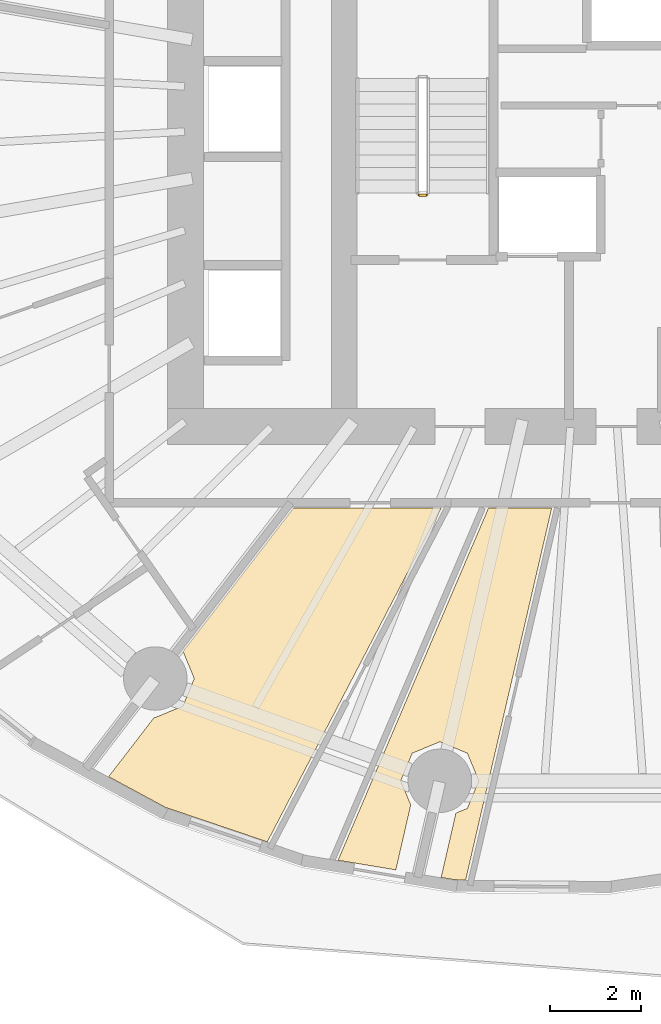
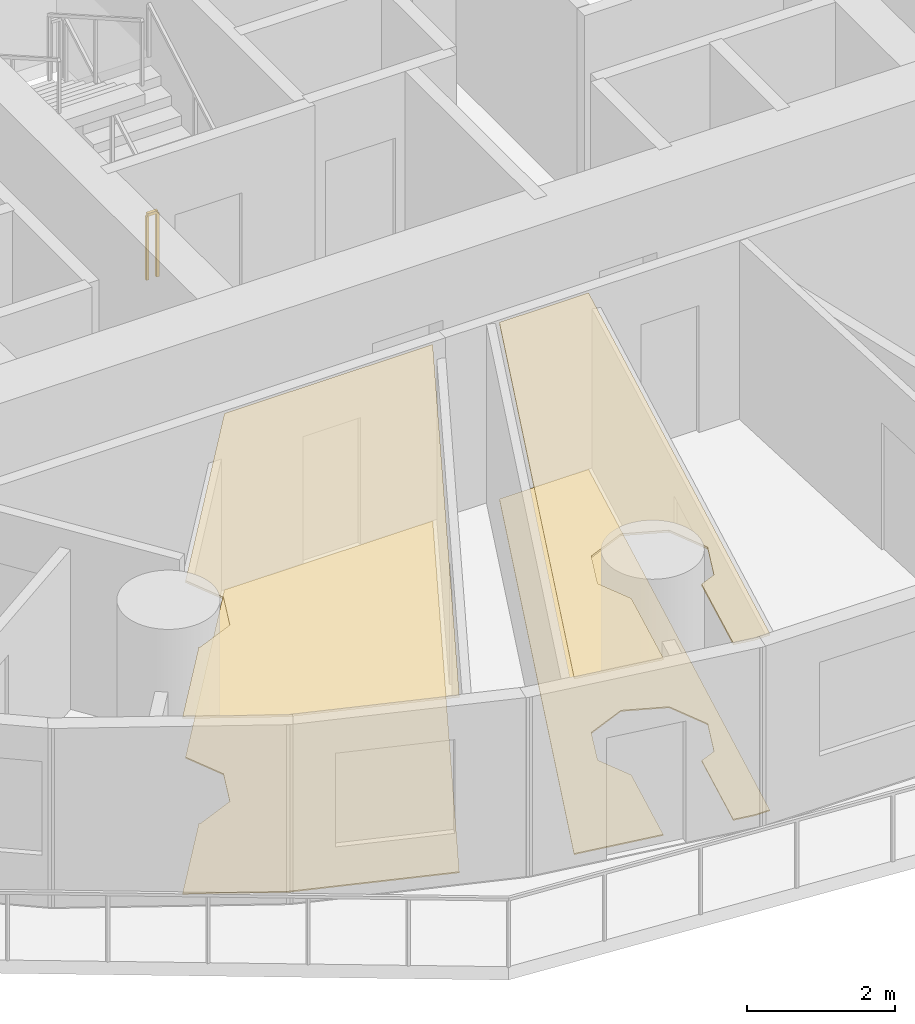
# One storey, part 10 of 13: 4 coverings, 1 railing.
"""IFC4 building model written with IfcOpenShell, lengths in metres."""

from ifc_helpers import new_model, si_unit, direction, frame, origin, origin_2d, place, context, subcontext, project, spatial, polyline, rectangle, outline, extrude, material, layer, layer_set, type_object, element, save


model = new_model("IFC4")

# Units and contexts
model_context = context("Model", 3, precision=1e-05, world=origin(), true_north=direction((0.0, 1.0)))
body_context = subcontext(model_context, "Body", "Model", "MODEL_VIEW")
ifc_project = project(units=[si_unit("LENGTHUNIT", "METRE"), si_unit("AREAUNIT", "SQUARE_METRE"), si_unit("VOLUMEUNIT", "CUBIC_METRE"), si_unit("PLANEANGLEUNIT", "RADIAN"), si_unit("MASSUNIT", "GRAM", prefix="KILO")], contexts=[model_context])

# Site, building, storey
site_placement = place(None, origin())
site = spatial("IfcSite", under=ifc_project, at=site_placement, CompositionType="ELEMENT")
building_placement = place(site_placement, origin())
building = spatial("IfcBuilding", under=site, at=building_placement, Name="Veldorim Arch Residences", CompositionType="ELEMENT")
storey_placement = place(building_placement, frame((0.0, 0.0, 56.800048828125)))
storey = spatial("IfcBuildingStorey", under=building, at=storey_placement, Name="L16", CompositionType="ELEMENT", Elevation=56.800048828125)

# Railing
ifc_material_1 = material(Name="Steel S355", Category="steel")
railing_type = type_object("IfcRailingType", Name="Galvanised Steel Stair Safety Guardrail 1100", PredefinedType="GUARDRAIL", material=ifc_material_1)
railing_placement = place(storey_placement, frame((28.31005859375, 22.10009765625, 0.0)))
element("IfcRailing", 1, at=railing_placement, inside=storey, type_object=railing_type, Name="L16 ST-1 stair guard 4", PredefinedType="GUARDRAIL", context=body_context, shape_type="SweptSolid", body=[
    extrude(rectangle(XDim=0.048095703125, YDim=0.048095703125, at=origin_2d()), frame((0.0, 0.0, 1.076171875), z_axis=(-1.0, 0.0, 0.0), x_axis=(0.0, -1.0, 0.0)), (0.0, 0.0, 1.0), 0.16015625),
    extrude(rectangle(XDim=0.0419921875, YDim=0.0419921875, at=origin_2d()), origin(), (0.0, 0.0, 1.0), 1.052001953125),
    extrude(rectangle(XDim=0.0419921875, YDim=0.0419921875, at=origin_2d()), frame((-0.16015625, 0.0, 0.0)), (0.0, 0.0, 1.0), 1.052001953125),
])

# Coverings
ifc_material_2 = material(Name="Acoustic Gypsum & Mineral Fibre", Category="gypsum")
ifc_layer_1 = layer(ifc_material_2, 0.034912109375, Name="Perforated Acoustic Mineral-Fibre Ceiling 35")
ifc_layer_set_1 = layer_set([ifc_layer_1], Name="Acoustic Gypsum & Mineral Fibre")
covering_type_1 = type_object("IfcCoveringType", Name="Perforated Acoustic Mineral-Fibre Ceiling 35", PredefinedType="CEILING", material=ifc_layer_set_1)
covering_1_placement = place(storey_placement, frame((0.0, 0.0, 2.905029296875)))
element("IfcCovering", 2, at=covering_1_placement, inside=storey, type_object=covering_type_1, Name="L16 acoustic suspended ceiling 01", PredefinedType="CEILING", context=body_context, shape_type="SweptSolid", body=[
    extrude(outline(polyline([(22.314453125, 10.5927734375), (22.3330078125, 10.5849609375), (22.941162109375, 10.8369140625), (23.193115234375, 11.44482421875), (22.9453125, 12.043212890625), (25.3759765625, 15.199951171875), (28.634521484375, 15.199951171875), (24.80322265625, 7.84375), (22.557861328125, 8.604248046875), (21.3046875, 9.28125), (22.314453125, 10.5927734375)])), origin(), (0.0, 0.0, 1.0), 0.034912109375),
])
covering_2_placement = place(storey_placement, frame((0.0, 0.0, 2.905029296875)))
element("IfcCovering", 3, at=covering_2_placement, inside=storey, type_object=covering_type_1, Name="L16 acoustic suspended ceiling 02", PredefinedType="CEILING", context=body_context, shape_type="SweptSolid", body=[
    extrude(outline(polyline([(27.63720703125, 7.225830078125), (26.363037109375, 7.43798828125), (29.677490234375, 15.199951171875), (31.072509765625, 15.199951171875), (29.1767578125, 7.007080078125), (28.939453125, 7.009033203125), (28.63525390625, 7.059814453125), (28.960205078125, 8.47705078125), (29.21337890625, 8.58203125), (29.46533203125, 9.190185546875), (29.21337890625, 9.798095703125), (28.60546875, 10.050048828125), (27.997314453125, 9.798095703125), (27.74560546875, 9.190185546875), (27.965576171875, 8.658935546875), (27.63720703125, 7.225830078125)])), origin(), (0.0, 0.0, 1.0), 0.034912109375),
])
ifc_material_3 = material(Name="Porcelain Ceramic Tile", Category="ceramic")
ifc_layer_2 = layer(ifc_material_3, 0.02001953125, Name="Slip-Resistant Porcelain & Vinyl Floor Finish 20")
ifc_layer_set_2 = layer_set([ifc_layer_2], Name="Porcelain Ceramic Tile")
covering_type_2 = type_object("IfcCoveringType", Name="Slip-Resistant Porcelain & Vinyl Floor Finish 20", PredefinedType="FLOORING", material=ifc_layer_set_2)
covering_3_placement = place(storey_placement, origin())
element("IfcCovering", 4, at=covering_3_placement, inside=storey, type_object=covering_type_2, Name="L16 porcelain floor finish 01", PredefinedType="FLOORING", context=body_context, shape_type="SweptSolid", body=[
    extrude(outline(polyline([(22.314453125, 10.5927734375), (22.3330078125, 10.5849609375), (22.941162109375, 10.8369140625), (23.193115234375, 11.44482421875), (22.9453125, 12.043212890625), (25.3759765625, 15.199951171875), (28.634521484375, 15.199951171875), (24.80322265625, 7.84375), (22.557861328125, 8.604248046875), (21.3046875, 9.28125), (22.314453125, 10.5927734375)])), origin(), (0.0, 0.0, 1.0), 0.02001953125),
])
covering_4_placement = place(storey_placement, origin())
element("IfcCovering", 5, at=covering_4_placement, inside=storey, type_object=covering_type_2, Name="L16 porcelain floor finish 02", PredefinedType="FLOORING", context=body_context, shape_type="SweptSolid", body=[
    extrude(outline(polyline([(27.63720703125, 7.225830078125), (26.363037109375, 7.43798828125), (29.677490234375, 15.199951171875), (31.072509765625, 15.199951171875), (29.1767578125, 7.007080078125), (28.939453125, 7.009033203125), (28.63525390625, 7.059814453125), (28.960205078125, 8.47705078125), (29.21337890625, 8.58203125), (29.46533203125, 9.190185546875), (29.21337890625, 9.798095703125), (28.60546875, 10.050048828125), (27.997314453125, 9.798095703125), (27.74560546875, 9.190185546875), (27.965576171875, 8.658935546875), (27.63720703125, 7.225830078125)])), origin(), (0.0, 0.0, 1.0), 0.02001953125),
])

save(model, "model.ifc")
